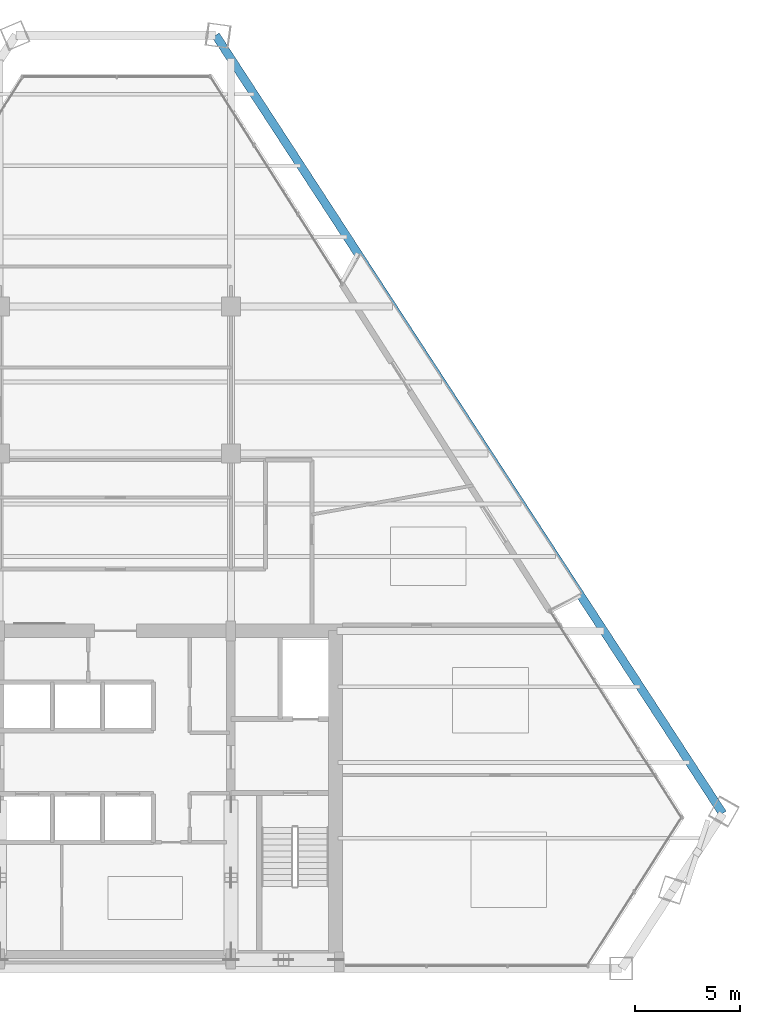
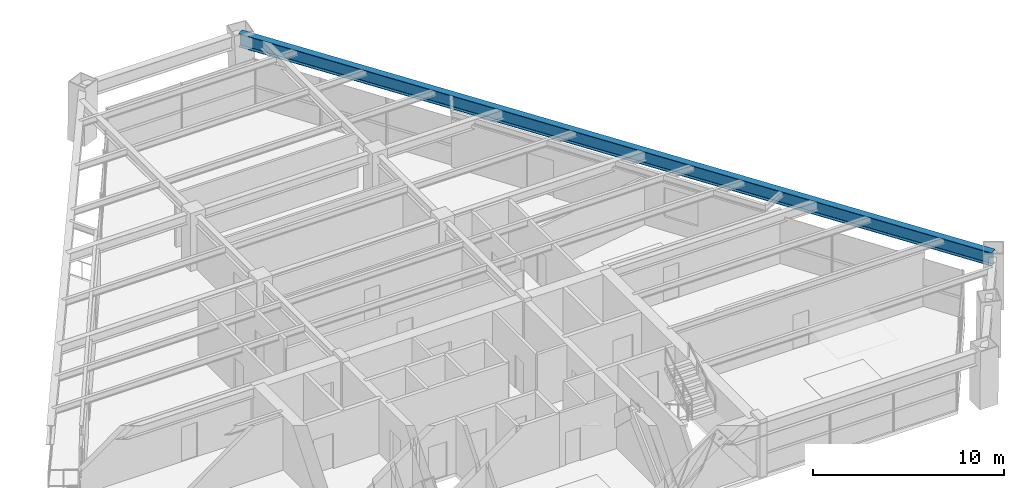
# One storey, part 7 of 15: 1 beam.
"""IFC4 building model written with IfcOpenShell, lengths in metres."""

import ifcopenshell
import ifcopenshell.guid

model = None  # the IFC model being written
_history = None  # IfcOwnerHistory: only IFC2X3 demands one
_inside = {}  # id of a spatial element -> (the spatial element, [elements in it])
_under = {}  # id of a project, library or spatial element -> (it, [spatial elements below it])
_declared = {}  # id of a project -> (the project, [libraries it declares])
_typed = {}  # id of a type object -> (the type object, [elements of that type])
_made_of = {}  # id of a material, layer set ... -> (it, [elements and type objects made of it])


def new_model(schema):
    """Start an empty IFC model of exactly this schema.

    Asked for "IFC4X3", IfcOpenShell would pick the latest addendum, in which some entities
    have other attributes; the version numbers below select the first issue.
    IFC2X3 requires an IfcOwnerHistory on every rooted entity: one is made here for all.
    """
    global model, _history
    if schema == "IFC4X3":
        model = ifcopenshell.file(schema_version=(4, 3, 0, 0))
    else:
        model = ifcopenshell.file(schema=schema)
    _inside.clear()
    _under.clear()
    _declared.clear()
    _typed.clear()
    _made_of.clear()
    _history = None
    if model.schema == "IFC2X3":
        org = make("IfcOrganization", Name="unknown")
        user = make(
            "IfcPersonAndOrganization",
            ThePerson=make("IfcPerson", FamilyName="unknown"),
            TheOrganization=org,
        )
        app = make(
            "IfcApplication",
            ApplicationDeveloper=org,
            Version="unknown",
            ApplicationFullName="unknown",
            ApplicationIdentifier="unknown",
        )
        _history = make(
            "IfcOwnerHistory",
            OwningUser=user,
            OwningApplication=app,
            ChangeAction="ADDED",
            CreationDate=0,
        )
    return model


def make(cls, **values):
    """One entity of the class cls with the attributes given. An attribute that is None is left unset."""
    return model.create_entity(
        cls, **{name: value for name, value in values.items() if value is not None}
    )


def rooted(cls, **values):
    """An entity with a GlobalId (a new one), such as an element, a storey or a relation."""
    return make(cls, GlobalId=ifcopenshell.guid.new(), OwnerHistory=_history, **values)


def si_unit(unit_type, name, prefix=None):
    """IfcSIUnit, for example si_unit("LENGTHUNIT", "METRE", prefix="MILLI")."""
    return make("IfcSIUnit", UnitType=unit_type, Prefix=prefix, Name=name)


def assignment(units):
    """IfcUnitAssignment: the units of a project."""
    return None if units is None else make("IfcUnitAssignment", Units=units)


def point(xyz):
    """IfcCartesianPoint."""
    return None if xyz is None else make("IfcCartesianPoint", Coordinates=xyz)


def direction(xyz):
    """IfcDirection."""
    return None if xyz is None else make("IfcDirection", DirectionRatios=xyz)


def frame(location, z_axis=None, x_axis=None):
    """IfcAxis2Placement3D, a coordinate frame: its origin and axes. An axis left out is left unset."""
    return make(
        "IfcAxis2Placement3D",
        Location=point(location),
        Axis=direction(z_axis),
        RefDirection=direction(x_axis),
    )


def frame_2d(location, x_axis=None):
    """IfcAxis2Placement2D, a coordinate frame in the plane: its origin and x axis."""
    return make(
        "IfcAxis2Placement2D", Location=point(location), RefDirection=direction(x_axis)
    )


def origin():
    """The frame at (0, 0, 0) with its axes left unset."""
    return frame((0.0, 0.0, 0.0))


def origin_2d():
    """The frame at (0, 0) in the plane with its x axis left unset."""
    return frame_2d((0.0, 0.0))


def place(relative_to, where):
    """IfcLocalPlacement: puts the frame where relative to a parent placement (None: the world)."""
    return make(
        "IfcLocalPlacement", PlacementRelTo=relative_to, RelativePlacement=where
    )


def context(
    kind, dimensions, precision=None, world=None, true_north=None, identifier=None
):
    """IfcGeometricRepresentationContext, for example the 3D "Model" context."""
    return make(
        "IfcGeometricRepresentationContext",
        ContextIdentifier=identifier,
        ContextType=kind,
        CoordinateSpaceDimension=dimensions,
        Precision=precision,
        WorldCoordinateSystem=world,
        TrueNorth=true_north,
    )


def subcontext(parent, identifier, kind, view, scale=None):
    """IfcGeometricRepresentationSubContext, for example "Body" below "Model"."""
    return make(
        "IfcGeometricRepresentationSubContext",
        ContextIdentifier=identifier,
        ContextType=kind,
        ParentContext=parent,
        TargetScale=scale,
        TargetView=view,
    )


def project(units=None, contexts=None):
    """IfcProject with its units and contexts."""
    return rooted(
        "IfcProject",
        Name="project",
        RepresentationContexts=contexts,
        UnitsInContext=assignment(units),
    )


def spatial(cls, under=None, at=None, **own):
    """A site, building, storey or space (cls), placed at a placement, below another one or the project."""
    s = rooted(cls, ObjectPlacement=at, **own)
    if under is not None:
        _under.setdefault(under.id(), (under, []))[1].append(s)
    return s


def profile(cls, at=None, kind="AREA", **sizes):
    """A parametric profile (cls). Its sizes go by their IFC names, for example OverallWidth=200.0."""
    return make(cls, ProfileType=kind, Position=at, **sizes)


def i_section(**sizes):
    """IfcIShapeProfileDef."""
    return profile("IfcIShapeProfileDef", **sizes)


def extrude(swept, where, along, depth):
    """IfcExtrudedAreaSolid: the profile swept, set in the frame where, extruded along a direction by depth."""
    return make(
        "IfcExtrudedAreaSolid",
        SweptArea=swept,
        Position=where,
        ExtrudedDirection=direction(along),
        Depth=depth,
    )


def shape(context_of_items, identifier, shape_type, items):
    """IfcShapeRepresentation: the items that make up one representation, for example the "Body"."""
    return make(
        "IfcShapeRepresentation",
        ContextOfItems=context_of_items,
        RepresentationIdentifier=identifier,
        RepresentationType=shape_type,
        Items=items,
    )


def source(mapping_origin, context_of_items, identifier, shape_type, items):
    """IfcRepresentationMap: a shape defined once, which mapped items show again and again."""
    return make(
        "IfcRepresentationMap",
        MappingOrigin=mapping_origin,
        MappedRepresentation=shape(context_of_items, identifier, shape_type, items),
    )


def transform(
    local_origin,
    x_axis=None,
    y_axis=None,
    z_axis=None,
    scale=None,
    scale2=None,
    scale3=None,
    uniform=True,
):
    """IfcCartesianTransformationOperator3D, or its non-uniform kind. x_axis, y_axis, z_axis: its Axis1, 2, 3."""
    if uniform:
        return make(
            "IfcCartesianTransformationOperator3D",
            Axis1=direction(x_axis),
            Axis2=direction(y_axis),
            LocalOrigin=point(local_origin),
            Scale=scale,
            Axis3=direction(z_axis),
        )
    return make(
        "IfcCartesianTransformationOperator3DnonUniform",
        Axis1=direction(x_axis),
        Axis2=direction(y_axis),
        LocalOrigin=point(local_origin),
        Scale=scale,
        Axis3=direction(z_axis),
        Scale2=scale2,
        Scale3=scale3,
    )


def mapped(mapping_source, mapping_target):
    """IfcMappedItem: shows the shape of a source again, moved by a transform."""
    return make(
        "IfcMappedItem", MappingSource=mapping_source, MappingTarget=mapping_target
    )


def material(Name=None, Category=None):
    """IfcMaterial."""
    return make("IfcMaterial", Name=Name, Category=Category)


def material_profile(
    of_material, cross_section, Name=None, Category=None, Priority=None
):
    """IfcMaterialProfile: a cross section and its material."""
    return make(
        "IfcMaterialProfile",
        Name=Name,
        Material=of_material,
        Profile=cross_section,
        Priority=Priority,
        Category=Category,
    )


def profile_set(profiles, Name=None, composite=None):
    """IfcMaterialProfileSet."""
    return make(
        "IfcMaterialProfileSet",
        Name=Name,
        MaterialProfiles=profiles,
        CompositeProfile=composite,
    )


def made_of(thing, what):
    """Note that an element or type object is made of a material, layer set ...; save() writes the relation."""
    if what is not None:
        _made_of.setdefault(what.id(), (what, []))[1].append(thing)
    return thing


def type_object(cls, material=None, **own):
    """A type object (cls), such as IfcWallType, which elements share."""
    return made_of(rooted(cls, **own), material)


def element(
    cls,
    number,
    at=None,
    inside=None,
    cuts=None,
    type_object=None,
    material=None,
    context=None,
    identifier="Body",
    shape_type=None,
    held_by="IfcProductDefinitionShape",
    body=None,
    shapes=None,
    **own,
):
    """One element of the class cls, such as IfcWall. Its Tag is "e" and its number.

    at: its placement. inside: the storey or other place that contains it. cuts: it is an
    opening in that element (IfcRelVoidsElement). A single representation is given by context,
    identifier, shape_type and body (its items); several are given by shapes. held_by: the class
    of the entity that holds the representations. save() writes the other relations.
    """
    e = rooted(cls, Tag="e%d" % number, ObjectPlacement=at, **own)
    if body is not None:
        shapes = [shape(context, identifier, shape_type, body)]
    if shapes is not None:
        e.Representation = make(held_by, Representations=shapes)
    if inside is not None:
        _inside.setdefault(inside.id(), (inside, []))[1].append(e)
    if cuts is not None:
        rooted(
            "IfcRelVoidsElement", RelatingBuildingElement=cuts, RelatedOpeningElement=e
        )
    if type_object is not None:
        _typed.setdefault(type_object.id(), (type_object, []))[1].append(e)
    return made_of(e, material)


def aggregate(whole, parts):
    """IfcRelAggregates: a whole, such as a stair, and the parts it consists of."""
    return rooted("IfcRelAggregates", RelatingObject=whole, RelatedObjects=parts)


def save(model, path):
    """Write the relations noted so far, then the file.

    IfcRelAggregates (storeys below a building ...), IfcRelContainedInSpatialStructure (elements
    in a storey), IfcRelDefinesByType, IfcRelAssociatesMaterial and IfcRelDeclares: one each for
    every whole, place, type object, material and project.
    """
    for whole, parts in _under.values():
        aggregate(whole, parts)
    for where, things in _inside.values():
        rooted(
            "IfcRelContainedInSpatialStructure",
            RelatedElements=things,
            RelatingStructure=where,
        )
    for kind, things in _typed.values():
        rooted("IfcRelDefinesByType", RelatedObjects=things, RelatingType=kind)
    for what, things in _made_of.values():
        rooted("IfcRelAssociatesMaterial", RelatedObjects=things, RelatingMaterial=what)
    for by, libraries in _declared.values():
        rooted("IfcRelDeclares", RelatingContext=by, RelatedDefinitions=libraries)
    model.write(path)


model = new_model("IFC4")

# Units and contexts
model_context = context("Model", 3, precision=1e-05, world=origin(), true_north=direction((0.0, 1.0)))
body_context = subcontext(model_context, "Body", "Model", "MODEL_VIEW")
ifc_project = project(units=[si_unit("LENGTHUNIT", "METRE"), si_unit("AREAUNIT", "SQUARE_METRE"), si_unit("VOLUMEUNIT", "CUBIC_METRE"), si_unit("PLANEANGLEUNIT", "RADIAN"), si_unit("MASSUNIT", "GRAM", prefix="KILO")], contexts=[model_context])

# Site, building, storey
site_placement = place(None, origin())
site = spatial("IfcSite", under=ifc_project, at=site_placement, CompositionType="ELEMENT")
building_placement = place(site_placement, origin())
building = spatial("IfcBuilding", under=site, at=building_placement, Name="Varnakhor Terracotta Tower", CompositionType="ELEMENT")
storey_placement = place(building_placement, frame((0.0, 0.0, 158.89990234375)))
storey = spatial("IfcBuildingStorey", under=building, at=storey_placement, Name="L40", CompositionType="ELEMENT", Elevation=158.89990234375)

# Beam
ifc_material = material(Name="Steel S355", Category="steel")
ifc_material_profile = material_profile(ifc_material, i_section(OverallWidth=0.39990234375, OverallDepth=0.85498046875, WebThickness=0.01806640625, FlangeThickness=0.029052734375, FilletRadius=0.01806640625, at=origin_2d()), Name="W33X201")
ifc_profile_set = profile_set([ifc_material_profile], Name="Steel S355")
beam_type = type_object("IfcBeamType", Name="BM-W33X201", PredefinedType="BEAM", material=ifc_profile_set)
shared_shape = source(origin(), body_context, "Body", "SweptSolid", [
    extrude(i_section(OverallWidth=0.39990234375, OverallDepth=0.85498046875, WebThickness=0.01806640625, FlangeThickness=0.029052734375, FilletRadius=0.01806640625, at=origin_2d()), origin(), (0.0, 0.0, 1.0), 44.203857421875),
])
beam_placement = place(storey_placement, frame((28.900634765625, 7.373291015625, 3.04248046875), z_axis=(-0.54587096041, 0.837869258644, 0.0), x_axis=(-0.837869258644, -0.54587096041, 0.0)))
element("IfcBeam", 1, at=beam_placement, inside=storey, type_object=beam_type, Name="L40 Perimeter Spandrel 4", PredefinedType="BEAM", context=body_context, shape_type="MappedRepresentation", body=[
    mapped(shared_shape, transform((0.0, 0.0, 0.0), scale=1.0)),
])

save(model, "model.ifc")
